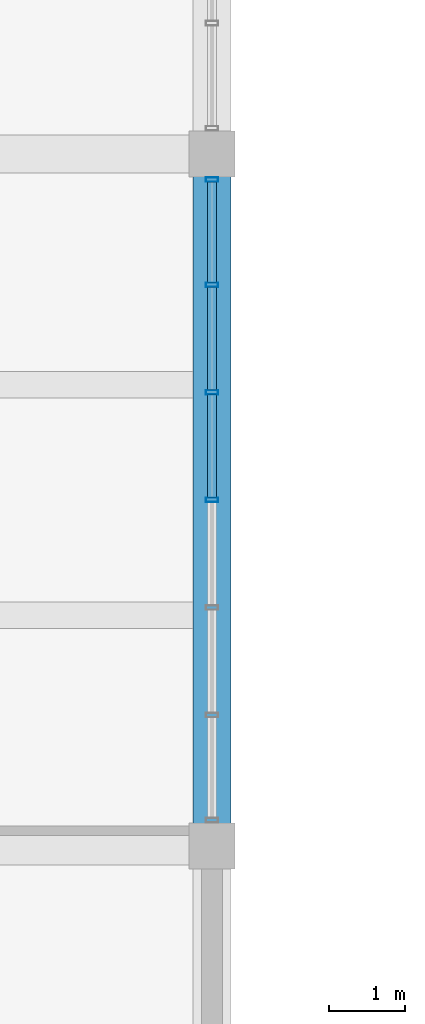
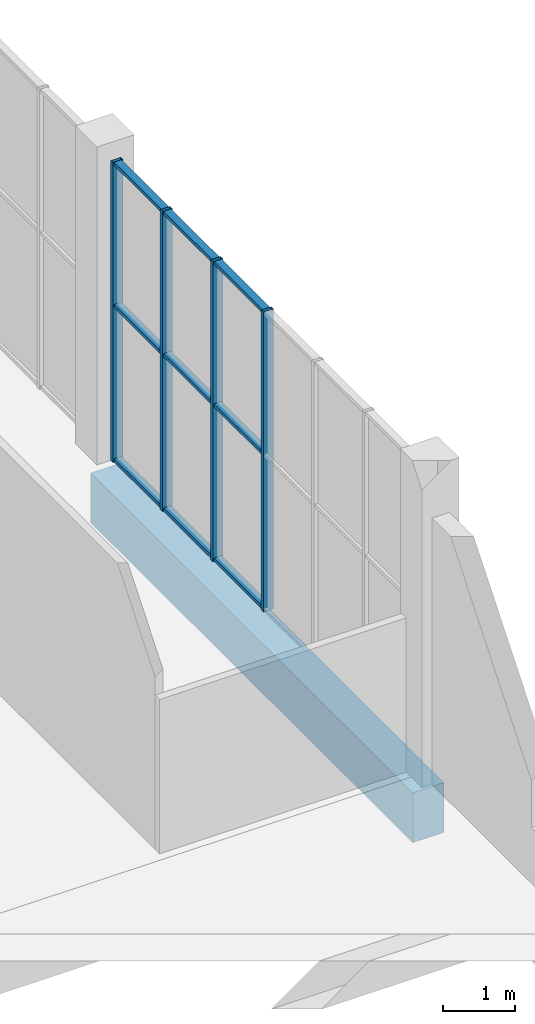
# One storey, part 25 of 132: 13 members, 1 beam, 1 element without a shape of its own.
"""IFC4 building model written with IfcOpenShell, lengths in metres."""

from ifc_helpers import new_model, si_unit, direction, frame, origin, origin_2d, place, context, subcontext, project, spatial, rectangle, hollow_rectangle, extrude, material, material_profile, profile_set, type_object, element, aggregate, save


model = new_model("IFC4")

# Units and contexts
model_context = context("Model", 3, precision=1e-05, world=origin(), true_north=direction((0.0, 1.0)))
body_context = subcontext(model_context, "Body", "Model", "MODEL_VIEW")
ifc_project = project(units=[si_unit("LENGTHUNIT", "METRE"), si_unit("AREAUNIT", "SQUARE_METRE"), si_unit("VOLUMEUNIT", "CUBIC_METRE"), si_unit("PLANEANGLEUNIT", "RADIAN"), si_unit("MASSUNIT", "GRAM", prefix="KILO")], contexts=[model_context])

# Site, building, storey
site_placement = place(None, origin())
site = spatial("IfcSite", under=ifc_project, at=site_placement, CompositionType="ELEMENT")
building_placement = place(site_placement, origin())
building = spatial("IfcBuilding", under=site, at=building_placement, Name="Khurvash Pelagic Aquarium", CompositionType="ELEMENT")
storey_placement = place(building_placement, frame((0.0, 0.0, 5.39990234375)))
storey = spatial("IfcBuildingStorey", under=building, at=storey_placement, Name="L01", CompositionType="ELEMENT", Elevation=5.39990234375)

# Curtain wall, members
ifc_material_1 = material(Name="Anodised aluminium and low-E laminated glass", Category="aluminium")
curtain_wall_type = type_object("IfcCurtainWallType", Name="CW-06", PredefinedType="USERDEFINED", material=ifc_material_1)
curtain_wall_placement = place(storey_placement, origin())
curtain_wall = element("IfcCurtainWall", 1, at=curtain_wall_placement, inside=storey, type_object=curtain_wall_type, Name="L01 Facade Unitised Curtain Wall CW-06 0131", ObjectType="UNITISED CURTAIN WALL", PredefinedType="USERDEFINED")
ifc_material_2 = material(Name="Extruded aluminium AW-6063-T6", Category="aluminium")
ifc_material_profile_1 = material_profile(ifc_material_2, hollow_rectangle(XDim=0.06005859375, YDim=0.159912109375, WallThickness=0.00390625, at=origin_2d()), Name="CWM60X160X4")
ifc_profile_set_1 = profile_set([ifc_material_profile_1], Name="Extruded aluminium AW-6063-T6")
member_type_1 = type_object("IfcMemberType", Name="CM-02", PredefinedType="MULLION", material=ifc_profile_set_1)
member_1_placement = place(storey_placement, frame((33.60009765625, 61.425048828125, 0.0), z_axis=(0.0, 0.0, 1.0), x_axis=(0.0, 1.0, 0.0)))
member_1 = element("IfcMember", 2, at=member_1_placement, type_object=member_type_1, Name="CW-06 mullion 4", PredefinedType="MULLION", context=body_context, shape_type="SweptSolid", body=[
    extrude(hollow_rectangle(XDim=0.06005859375, YDim=0.159912109375, WallThickness=0.00390625, at=origin_2d()), origin(), (0.0, 0.0, 1.0), 5.10009765625),
])
member_2_placement = place(storey_placement, frame((33.60009765625, 62.831787109375, 0.0), z_axis=(0.0, 0.0, 1.0), x_axis=(0.0, 1.0, 0.0)))
member_2 = element("IfcMember", 3, at=member_2_placement, type_object=member_type_1, Name="CW-06 mullion 5", PredefinedType="MULLION", context=body_context, shape_type="SweptSolid", body=[
    extrude(hollow_rectangle(XDim=0.06005859375, YDim=0.159912109375, WallThickness=0.00390625, at=origin_2d()), origin(), (0.0, 0.0, 1.0), 5.10009765625),
])
member_3_placement = place(storey_placement, frame((33.60009765625, 64.23828125, 0.0), z_axis=(0.0, 0.0, 1.0), x_axis=(0.0, 1.0, 0.0)))
member_3 = element("IfcMember", 4, at=member_3_placement, type_object=member_type_1, Name="CW-06 mullion 6", PredefinedType="MULLION", context=body_context, shape_type="SweptSolid", body=[
    extrude(hollow_rectangle(XDim=0.06005859375, YDim=0.159912109375, WallThickness=0.00390625, at=origin_2d()), origin(), (0.0, 0.0, 1.0), 5.10009765625),
])
member_4_placement = place(storey_placement, frame((33.60009765625, 65.614990234375, 0.0), z_axis=(0.0, 0.0, 1.0), x_axis=(0.0, 1.0, 0.0)))
member_4 = element("IfcMember", 5, at=member_4_placement, type_object=member_type_1, Name="CW-06 mullion 7", PredefinedType="MULLION", context=body_context, shape_type="SweptSolid", body=[
    extrude(hollow_rectangle(XDim=0.06005859375, YDim=0.159912109375, WallThickness=0.00390625, at=origin_2d()), origin(), (0.0, 0.0, 1.0), 5.10009765625),
])
ifc_material_profile_2 = material_profile(ifc_material_2, hollow_rectangle(XDim=0.1201171875, YDim=0.06005859375, WallThickness=0.00390625, at=origin_2d()), Name="CWT120X60X4")
ifc_profile_set_2 = profile_set([ifc_material_profile_2], Name="Extruded aluminium AW-6063-T6")
member_type_2 = type_object("IfcMemberType", Name="CT-02", PredefinedType="USERDEFINED", material=ifc_profile_set_2)
member_5_placement = place(storey_placement, frame((33.60009765625, 61.455078125, 0.030029296875), z_axis=(0.0, 1.0, 0.0), x_axis=(-1.0, 0.0, 0.0)))
member_5 = element("IfcMember", 6, at=member_5_placement, type_object=member_type_2, Name="CW-06 transom 4.1", ObjectType="TRANSOM", PredefinedType="USERDEFINED", context=body_context, shape_type="SweptSolid", body=[
    extrude(hollow_rectangle(XDim=0.1201171875, YDim=0.06005859375, WallThickness=0.00390625, at=origin_2d()), origin(), (0.0, 0.0, 1.0), 1.3466796875),
])
member_6_placement = place(storey_placement, frame((33.60009765625, 61.455078125, 2.652099609375), z_axis=(0.0, 1.0, 0.0), x_axis=(-1.0, 0.0, 0.0)))
member_6 = element("IfcMember", 7, at=member_6_placement, type_object=member_type_2, Name="CW-06 transom 4.2", ObjectType="TRANSOM", PredefinedType="USERDEFINED", context=body_context, shape_type="SweptSolid", body=[
    extrude(hollow_rectangle(XDim=0.1201171875, YDim=0.06005859375, WallThickness=0.00390625, at=origin_2d()), origin(), (0.0, 0.0, 1.0), 1.3466796875),
])
member_7_placement = place(storey_placement, frame((33.60009765625, 61.455078125, 5.070068359375), z_axis=(0.0, 1.0, 0.0), x_axis=(-1.0, 0.0, 0.0)))
member_7 = element("IfcMember", 8, at=member_7_placement, type_object=member_type_2, Name="CW-06 transom 4.3", ObjectType="TRANSOM", PredefinedType="USERDEFINED", context=body_context, shape_type="SweptSolid", body=[
    extrude(hollow_rectangle(XDim=0.1201171875, YDim=0.06005859375, WallThickness=0.00390625, at=origin_2d()), origin(), (0.0, 0.0, 1.0), 1.3466796875),
])
member_8_placement = place(storey_placement, frame((33.60009765625, 62.861572265625, 0.030029296875), z_axis=(0.0, 1.0, 0.0), x_axis=(-1.0, 0.0, 0.0)))
member_8 = element("IfcMember", 9, at=member_8_placement, type_object=member_type_2, Name="CW-06 transom 5.1", ObjectType="TRANSOM", PredefinedType="USERDEFINED", context=body_context, shape_type="SweptSolid", body=[
    extrude(hollow_rectangle(XDim=0.1201171875, YDim=0.06005859375, WallThickness=0.00390625, at=origin_2d()), origin(), (0.0, 0.0, 1.0), 1.3466796875),
])
member_9_placement = place(storey_placement, frame((33.60009765625, 62.861572265625, 2.652099609375), z_axis=(0.0, 1.0, 0.0), x_axis=(-1.0, 0.0, 0.0)))
member_9 = element("IfcMember", 10, at=member_9_placement, type_object=member_type_2, Name="CW-06 transom 5.2", ObjectType="TRANSOM", PredefinedType="USERDEFINED", context=body_context, shape_type="SweptSolid", body=[
    extrude(hollow_rectangle(XDim=0.1201171875, YDim=0.06005859375, WallThickness=0.00390625, at=origin_2d()), origin(), (0.0, 0.0, 1.0), 1.3466796875),
])
member_10_placement = place(storey_placement, frame((33.60009765625, 62.861572265625, 5.070068359375), z_axis=(0.0, 1.0, 0.0), x_axis=(-1.0, 0.0, 0.0)))
member_10 = element("IfcMember", 11, at=member_10_placement, type_object=member_type_2, Name="CW-06 transom 5.3", ObjectType="TRANSOM", PredefinedType="USERDEFINED", context=body_context, shape_type="SweptSolid", body=[
    extrude(hollow_rectangle(XDim=0.1201171875, YDim=0.06005859375, WallThickness=0.00390625, at=origin_2d()), origin(), (0.0, 0.0, 1.0), 1.3466796875),
])
member_11_placement = place(storey_placement, frame((33.60009765625, 64.268310546875, 0.030029296875), z_axis=(0.0, 1.0, 0.0), x_axis=(-1.0, 0.0, 0.0)))
member_11 = element("IfcMember", 12, at=member_11_placement, type_object=member_type_2, Name="CW-06 transom 6.1", ObjectType="TRANSOM", PredefinedType="USERDEFINED", context=body_context, shape_type="SweptSolid", body=[
    extrude(hollow_rectangle(XDim=0.1201171875, YDim=0.06005859375, WallThickness=0.00390625, at=origin_2d()), origin(), (0.0, 0.0, 1.0), 1.316650390625),
])
member_12_placement = place(storey_placement, frame((33.60009765625, 64.268310546875, 2.652099609375), z_axis=(0.0, 1.0, 0.0), x_axis=(-1.0, 0.0, 0.0)))
member_12 = element("IfcMember", 13, at=member_12_placement, type_object=member_type_2, Name="CW-06 transom 6.2", ObjectType="TRANSOM", PredefinedType="USERDEFINED", context=body_context, shape_type="SweptSolid", body=[
    extrude(hollow_rectangle(XDim=0.1201171875, YDim=0.06005859375, WallThickness=0.00390625, at=origin_2d()), origin(), (0.0, 0.0, 1.0), 1.316650390625),
])
member_13_placement = place(storey_placement, frame((33.60009765625, 64.268310546875, 5.070068359375), z_axis=(0.0, 1.0, 0.0), x_axis=(-1.0, 0.0, 0.0)))
member_13 = element("IfcMember", 14, at=member_13_placement, type_object=member_type_2, Name="CW-06 transom 6.3", ObjectType="TRANSOM", PredefinedType="USERDEFINED", context=body_context, shape_type="SweptSolid", body=[
    extrude(hollow_rectangle(XDim=0.1201171875, YDim=0.06005859375, WallThickness=0.00390625, at=origin_2d()), origin(), (0.0, 0.0, 1.0), 1.316650390625),
])
aggregate(curtain_wall, [member_1, member_2, member_3, member_4, member_5, member_6, member_7, member_8, member_9, member_10, member_11, member_12, member_13])

# Beam
ifc_material_3 = material(Name="Concrete C40/50", Category="concrete")
ifc_material_profile_3 = material_profile(ifc_material_3, rectangle(XDim=0.5, YDim=0.85009765625, at=origin_2d()), Name="RC500X850")
ifc_profile_set_3 = profile_set([ifc_material_profile_3], Name="Concrete C40/50")
beam_type = type_object("IfcBeamType", Name="SEB-03", PredefinedType="SPANDREL", material=ifc_profile_set_3)
beam_placement = place(storey_placement, frame((33.60009765625, 56.93994140625, -0.73486328125), z_axis=(0.0, 1.0, 0.0), x_axis=(-1.0, 0.0, 0.0)))
element("IfcBeam", 15, at=beam_placement, inside=storey, type_object=beam_type, Name="L01 Primary Girder SEB-03 00375", PredefinedType="SPANDREL", context=body_context, shape_type="SweptSolid", body=[
    extrude(rectangle(XDim=0.5, YDim=0.85009765625, at=origin_2d()), origin(), (0.0, 0.0, 1.0), 8.969970703125),
])

save(model, "model.ifc")
